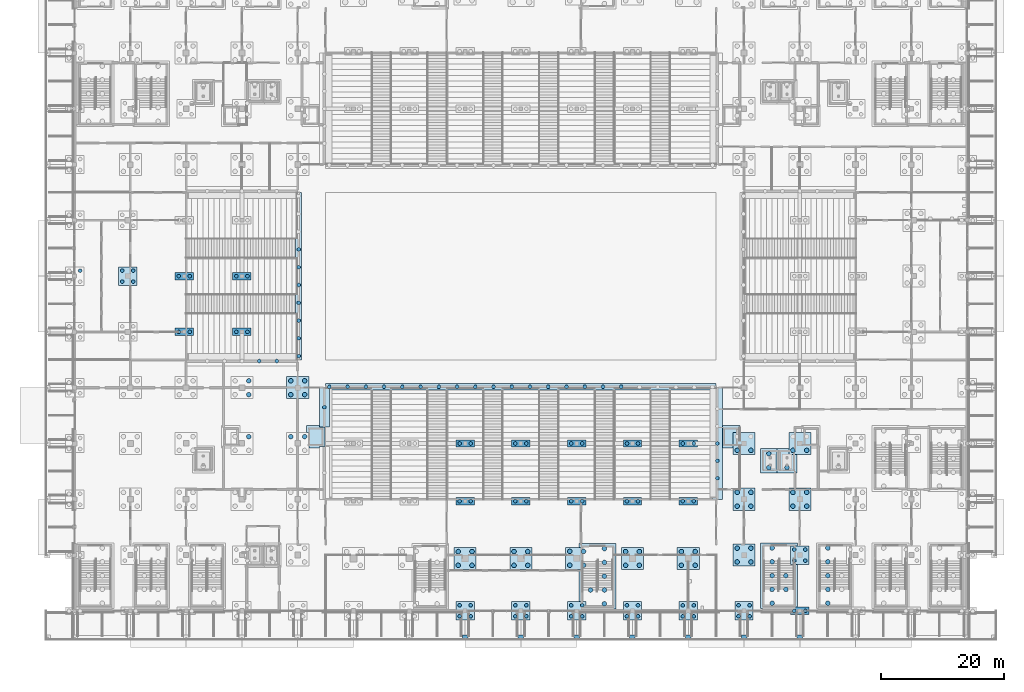
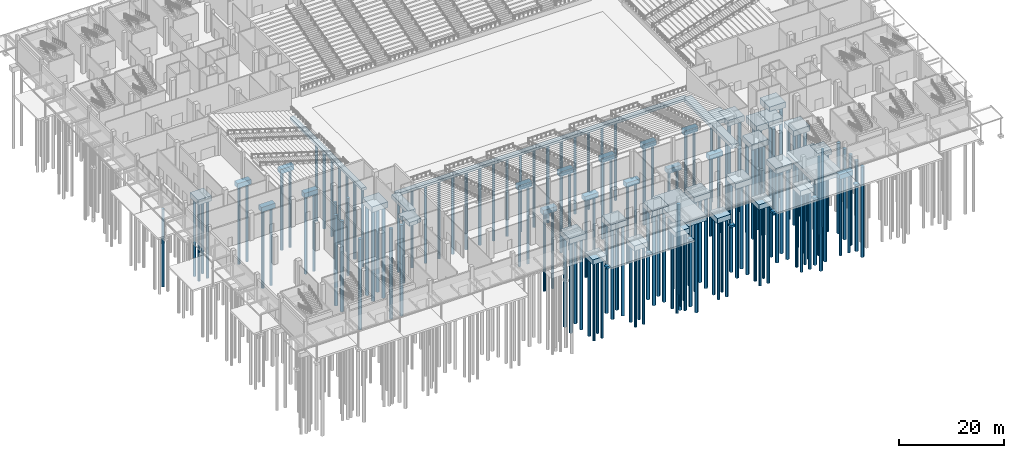
# One storey, part 2 of 129: 159 piles, 51 footings.
"""IFC4 building model written with IfcOpenShell, lengths in metres."""

from ifc_helpers import new_model, si_unit, direction, frame, origin, origin_2d, place, context, subcontext, project, spatial, polyline, rectangle, circle, outline, extrude, material, material_profile, profile_set, type_object, element, save


model = new_model("IFC4")

# Units and contexts
model_context = context("Model", 3, precision=1e-05, world=origin(), true_north=direction((0.0, 1.0)))
body_context = subcontext(model_context, "Body", "Model", "MODEL_VIEW")
ifc_project = project(units=[si_unit("LENGTHUNIT", "METRE"), si_unit("AREAUNIT", "SQUARE_METRE"), si_unit("VOLUMEUNIT", "CUBIC_METRE"), si_unit("PLANEANGLEUNIT", "RADIAN"), si_unit("MASSUNIT", "GRAM", prefix="KILO")], contexts=[model_context])

# Site, building, storey
site_placement = place(None, origin())
site = spatial("IfcSite", under=ifc_project, at=site_placement, CompositionType="ELEMENT")
building_placement = place(site_placement, origin())
building = spatial("IfcBuilding", under=site, at=building_placement, Name="Shirokan Park Arena", CompositionType="ELEMENT")
storey_placement = place(building_placement, origin())
storey = spatial("IfcBuildingStorey", under=building, at=storey_placement, Name="L00", CompositionType="ELEMENT", Elevation=0.0)

# Piles
ifc_material = material(Name="Concrete C30", Category="concrete")
ifc_material_profile_1 = material_profile(ifc_material, circle(Radius=0.300048828125, at=origin_2d()), Name="D600")
ifc_profile_set_1 = profile_set([ifc_material_profile_1], Name="Concrete C30")
pile_type_1 = type_object("IfcPileType", Name="Bored pile 600", PredefinedType="BORED", material=ifc_profile_set_1)
for number, where, z_axis, x_axis, name in (
    (1, (0.89990234375, 55.5, -1.60009765625), (0.0, 0.0, -1.0), (1.0, 0.0, 0.0), "Bored pile 1G 4"),
    (2, (7.77490234375, 53.699951171875, -1.60009765625), (0.0, 0.0, -1.0), (1.0, 0.0, 0.0), "Bored pile 2G 1"),
    (3, (7.77490234375, 55.5, -1.60009765625), (0.0, 0.0, -1.0), (1.0, 0.0, 0.0), "Bored pile 2G 2"),
    (4, (9.574951171875, 53.699951171875, -1.60009765625), (0.0, 0.0, -1.0), (1.0, 0.0, 0.0), "Bored pile 2G 3"),
    (5, (9.574951171875, 55.5, -1.60009765625), (0.0, 0.0, -1.0), (1.0, 0.0, 0.0), "Bored pile 2G 4"),
    (6, (17.0, 45.5, -1.5), (0.0, 0.0, -1.0), (1.0, 0.0, 0.0), "Bored pile 3F 1"),
    (7, (18.800048828125, 45.5, -1.5), (0.0, 0.0, -1.0), (1.0, 0.0, 0.0), "Bored pile 3F 2"),
    (8, (17.0, 54.60009765625, -1.5), (0.0, 0.0, -1.0), (1.0, 0.0, 0.0), "Bored pile 3G 1"),
    (9, (18.800048828125, 54.60009765625, -1.5), (0.0, 0.0, -1.0), (1.0, 0.0, 0.0), "Bored pile 3G 2"),
    (10, (26.39990234375, 45.5, -1.5), (0.0, 0.0, -1.0), (1.0, 0.0, 0.0), "Bored pile 4F 1"),
    (11, (28.199951171875, 45.5, -1.5), (0.0, 0.0, -1.0), (1.0, 0.0, 0.0), "Bored pile 4F 2"),
    (12, (26.39990234375, 54.60009765625, -1.5), (0.0, 0.0, -1.0), (1.0, 0.0, 0.0), "Bored pile 4G 1"),
    (13, (28.199951171875, 54.60009765625, -1.5), (0.0, 0.0, -1.0), (1.0, 0.0, 0.0), "Bored pile 4G 2"),
    (14, (62.800048828125, -0.89990234375, -1.60009765625), (0.0, 0.0, -1.0), (1.0, 0.0, 0.0), "Bored pile 8A 1"),
    (15, (62.800048828125, 0.89990234375, -1.60009765625), (0.0, 0.0, -1.0), (1.0, 0.0, 0.0), "Bored pile 8A 2"),
    (16, (64.60009765625, -0.89990234375, -1.60009765625), (0.0, 0.0, -1.0), (1.0, 0.0, 0.0), "Bored pile 8A 3"),
    (17, (64.60009765625, 0.89990234375, -1.60009765625), (0.0, 0.0, -1.0), (1.0, 0.0, 0.0), "Bored pile 8A 4"),
    (18, (62.800048828125, 17.89990234375, -1.5), (0.0, 0.0, -1.0), (1.0, 0.0, 0.0), "Bored pile 8C 1"),
    (19, (64.60009765625, 17.89990234375, -1.5), (0.0, 0.0, -1.0), (1.0, 0.0, 0.0), "Bored pile 8C 2"),
    (20, (62.800048828125, 27.300048828125, -1.5), (0.0, 0.0, -1.0), (1.0, 0.0, 0.0), "Bored pile 8D 1"),
    (21, (64.60009765625, 27.300048828125, -1.5), (0.0, 0.0, -1.0), (1.0, 0.0, 0.0), "Bored pile 8D 2"),
    (22, (71.89990234375, -0.89990234375, -1.60009765625), (0.0, 0.0, -1.0), (1.0, 0.0, 0.0), "Bored pile 9A 1"),
    (23, (71.89990234375, 0.89990234375, -1.60009765625), (0.0, 0.0, -1.0), (1.0, 0.0, 0.0), "Bored pile 9A 2"),
    (24, (73.699951171875, -0.89990234375, -1.60009765625), (0.0, 0.0, -1.0), (1.0, 0.0, 0.0), "Bored pile 9A 3"),
    (25, (73.699951171875, 0.89990234375, -1.60009765625), (0.0, 0.0, -1.0), (1.0, 0.0, 0.0), "Bored pile 9A 4"),
    (26, (71.89990234375, 17.89990234375, -1.5), (0.0, 0.0, -1.0), (1.0, 0.0, 0.0), "Bored pile 9C 1"),
    (27, (73.699951171875, 17.89990234375, -1.5), (0.0, 0.0, -1.0), (1.0, 0.0, 0.0), "Bored pile 9C 2"),
    (28, (71.89990234375, 27.300048828125, -1.5), (0.0, 0.0, -1.0), (1.0, 0.0, 0.0), "Bored pile 9D 1"),
    (29, (73.699951171875, 27.300048828125, -1.5), (0.0, 0.0, -1.0), (1.0, 0.0, 0.0), "Bored pile 9D 2"),
    (30, (81.0, -0.89990234375, -1.60009765625), (0.0, 0.0, -1.0), (1.0, 0.0, 0.0), "Bored pile 10A 1"),
    (31, (81.0, 0.89990234375, -1.60009765625), (0.0, 0.0, -1.0), (1.0, 0.0, 0.0), "Bored pile 10A 2"),
    (32, (82.800048828125, -0.89990234375, -1.60009765625), (0.0, 0.0, -1.0), (1.0, 0.0, 0.0), "Bored pile 10A 3"),
    (33, (82.800048828125, 0.89990234375, -1.60009765625), (0.0, 0.0, -1.0), (1.0, 0.0, 0.0), "Bored pile 10A 4"),
    (34, (81.0, 17.89990234375, -1.5), (0.0, 0.0, -1.0), (1.0, 0.0, 0.0), "Bored pile 10C 1"),
    (35, (82.800048828125, 17.89990234375, -1.5), (0.0, 0.0, -1.0), (1.0, 0.0, 0.0), "Bored pile 10C 2"),
    (36, (81.0, 27.300048828125, -1.5), (0.0, 0.0, -1.0), (1.0, 0.0, 0.0), "Bored pile 10D 1"),
    (37, (82.800048828125, 27.300048828125, -1.5), (0.0, 0.0, -1.0), (1.0, 0.0, 0.0), "Bored pile 10D 2"),
    (38, (90.10009765625, -0.89990234375, -1.60009765625), (0.0, 0.0, -1.0), (1.0, 0.0, 0.0), "Bored pile 11A 1"),
    (39, (90.10009765625, 0.89990234375, -1.60009765625), (0.0, 0.0, -1.0), (1.0, 0.0, 0.0), "Bored pile 11A 2"),
    (40, (91.89990234375, -0.89990234375, -1.60009765625), (0.0, 0.0, -1.0), (1.0, 0.0, 0.0), "Bored pile 11A 3"),
    (41, (91.89990234375, 0.89990234375, -1.60009765625), (0.0, 0.0, -1.0), (1.0, 0.0, 0.0), "Bored pile 11A 4"),
    (42, (90.10009765625, 17.89990234375, -1.5), (0.0, 0.0, -1.0), (1.0, 0.0, 0.0), "Bored pile 11C 1"),
    (43, (91.89990234375, 17.89990234375, -1.5), (0.0, 0.0, -1.0), (1.0, 0.0, 0.0), "Bored pile 11C 2"),
    (44, (90.10009765625, 27.300048828125, -1.5), (0.0, 0.0, -1.0), (1.0, 0.0, 0.0), "Bored pile 11D 1"),
    (45, (91.89990234375, 27.300048828125, -1.5), (0.0, 0.0, -1.0), (1.0, 0.0, 0.0), "Bored pile 11D 2"),
    (46, (99.199951171875, -0.89990234375, -1.60009765625), (0.0, 0.0, -1.0), (1.0, 0.0, 0.0), "Bored pile 12A 1"),
    (47, (99.199951171875, 0.89990234375, -1.60009765625), (0.0, 0.0, -1.0), (1.0, 0.0, 0.0), "Bored pile 12A 2"),
    (48, (101.0, -0.89990234375, -1.60009765625), (0.0, 0.0, -1.0), (1.0, 0.0, 0.0), "Bored pile 12A 3"),
    (49, (101.0, 0.89990234375, -1.60009765625), (0.0, 0.0, -1.0), (1.0, 0.0, 0.0), "Bored pile 12A 4"),
    (50, (99.199951171875, 17.89990234375, -1.5), (0.0, 0.0, -1.0), (1.0, 0.0, 0.0), "Bored pile 12C 1"),
    (51, (101.0, 17.89990234375, -1.5), (0.0, 0.0, -1.0), (1.0, 0.0, 0.0), "Bored pile 12C 2"),
    (52, (99.199951171875, 27.300048828125, -1.5), (0.0, 0.0, -1.0), (1.0, 0.0, 0.0), "Bored pile 12D 1"),
    (53, (101.0, 27.300048828125, -1.5), (0.0, 0.0, -1.0), (1.0, 0.0, 0.0), "Bored pile 12D 2"),
    (54, (108.300048828125, -0.89990234375, -1.60009765625), (0.0, 0.0, -1.0), (1.0, 0.0, 0.0), "Bored pile 13A 1"),
    (55, (108.300048828125, 0.89990234375, -1.60009765625), (0.0, 0.0, -1.0), (1.0, 0.0, 0.0), "Bored pile 13A 2"),
    (56, (110.10009765625, -0.89990234375, -1.60009765625), (0.0, 0.0, -1.0), (1.0, 0.0, 0.0), "Bored pile 13A 3"),
    (57, (110.10009765625, 0.89990234375, -1.60009765625), (0.0, 0.0, -1.0), (1.0, 0.0, 0.0), "Bored pile 13A 4"),
    (58, (117.39990234375, 0.0, -1.5), (0.0, 0.0, -1.0), (1.0, 0.0, 0.0), "Bored pile 14A 1"),
    (59, (119.199951171875, 0.0, -1.5), (0.0, 0.0, -1.0), (1.0, 0.0, 0.0), "Bored pile 14A 2"),
    (60, (117.39990234375, 8.199951171875, -1.60009765625), (0.0, 0.0, -1.0), (1.0, 0.0, 0.0), "Bored pile 14B 1"),
    (61, (117.39990234375, 10.0, -1.60009765625), (0.0, 0.0, -1.0), (1.0, 0.0, 0.0), "Bored pile 14B 2"),
    (62, (119.199951171875, 8.199951171875, -1.60009765625), (0.0, 0.0, -1.0), (1.0, 0.0, 0.0), "Bored pile 14B 3"),
    (63, (119.199951171875, 10.0, -1.60009765625), (0.0, 0.0, -1.0), (1.0, 0.0, 0.0), "Bored pile 14B 4"),
    (64, (41.550048828125, 36.550048828125, -1.0), (0.0, 0.0, -1.0), (1.0, 0.0, 0.0), "Bored pile front wall S 1"),
    (65, (44.526123046875, 36.550048828125, -1.0), (0.0, 0.0, -1.0), (1.0, 0.0, 0.0), "Bored pile front wall S 2"),
    (66, (47.50244140625, 36.550048828125, -1.0), (0.0, 0.0, -1.0), (1.0, 0.0, 0.0), "Bored pile front wall S 3"),
    (67, (50.478515625, 36.550048828125, -1.0), (0.0, 0.0, -1.0), (1.0, 0.0, 0.0), "Bored pile front wall S 4"),
    (68, (53.454833984375, 36.550048828125, -1.0), (0.0, 0.0, -1.0), (1.0, 0.0, 0.0), "Bored pile front wall S 5"),
    (69, (56.430908203125, 36.550048828125, -1.0), (0.0, 0.0, -1.0), (1.0, 0.0, 0.0), "Bored pile front wall S 6"),
    (70, (59.4072265625, 36.550048828125, -1.0), (0.0, 0.0, -1.0), (1.0, 0.0, 0.0), "Bored pile front wall S 7"),
    (71, (62.38330078125, 36.550048828125, -1.0), (0.0, 0.0, -1.0), (1.0, 0.0, 0.0), "Bored pile front wall S 8"),
    (72, (65.359619140625, 36.550048828125, -1.0), (0.0, 0.0, -1.0), (1.0, 0.0, 0.0), "Bored pile front wall S 9"),
    (73, (68.335693359375, 36.550048828125, -1.0), (0.0, 0.0, -1.0), (1.0, 0.0, 0.0), "Bored pile front wall S 10"),
    (74, (71.31201171875, 36.550048828125, -1.0), (0.0, 0.0, -1.0), (1.0, 0.0, 0.0), "Bored pile front wall S 11"),
    (75, (74.2880859375, 36.550048828125, -1.0), (0.0, 0.0, -1.0), (1.0, 0.0, 0.0), "Bored pile front wall S 12"),
    (76, (77.264404296875, 36.550048828125, -1.0), (0.0, 0.0, -1.0), (1.0, 0.0, 0.0), "Bored pile front wall S 13"),
    (77, (80.240478515625, 36.550048828125, -1.0), (0.0, 0.0, -1.0), (1.0, 0.0, 0.0), "Bored pile front wall S 14"),
    (78, (83.216552734375, 36.550048828125, -1.0), (0.0, 0.0, -1.0), (1.0, 0.0, 0.0), "Bored pile front wall S 15"),
    (79, (86.19287109375, 36.550048828125, -1.0), (0.0, 0.0, -1.0), (1.0, 0.0, 0.0), "Bored pile front wall S 16"),
    (80, (89.1689453125, 36.550048828125, -1.0), (0.0, 0.0, -1.0), (1.0, 0.0, 0.0), "Bored pile front wall S 17"),
    (81, (36.550048828125, 41.550048828125, -1.0), (0.0, 0.0, -1.0), (1.0, 0.0, 0.0), "Bored pile front wall W 1"),
    (82, (36.550048828125, 44.449951171875, -1.0), (0.0, 0.0, -1.0), (1.0, 0.0, 0.0), "Bored pile front wall W 2"),
    (83, (36.550048828125, 47.35009765625, -1.0), (0.0, 0.0, -1.0), (1.0, 0.0, 0.0), "Bored pile front wall W 3"),
    (84, (36.550048828125, 50.25, -1.0), (0.0, 0.0, -1.0), (1.0, 0.0, 0.0), "Bored pile front wall W 4"),
    (85, (36.550048828125, 53.14990234375, -1.0), (0.0, 0.0, -1.0), (1.0, 0.0, 0.0), "Bored pile front wall W 5"),
    (86, (36.550048828125, 56.050048828125, -1.0), (0.0, 0.0, -1.0), (1.0, 0.0, 0.0), "Bored pile front wall W 6"),
    (87, (36.550048828125, 58.949951171875, -1.0), (0.0, 0.0, -1.0), (1.0, 0.0, 0.0), "Bored pile front wall W 7"),
    (88, (40.75, 33.195556640625, -1.300048828125), (0.0, 0.0, -1.0), (1.0, 0.0, 0.0), "Bored pile flank wall S1-2 1"),
    (89, (104.85009765625, 27.300048828125, -1.300048828125), (0.0, 0.0, -1.0), (1.0, 0.0, 0.0), "Bored pile flank wall S2 3"),
    (90, (104.85009765625, 24.466552734375, -1.300048828125), (0.0, 0.0, -1.0), (1.0, 0.0, 0.0), "Bored pile flank wall S2 4"),
    (91, (104.85009765625, 21.63330078125, -1.300048828125), (0.0, 0.0, -1.0), (1.0, 0.0, 0.0), "Bored pile flank wall S2 5"),
    (92, (32.966552734375, 40.75, -1.300048828125), (0.0, 0.0, -1.0), (1.0, 0.0, 0.0), "Bored pile flank wall W1 1"),
    (93, (30.13330078125, 40.75, -1.300048828125), (0.0, 0.0, -1.0), (1.0, 0.0, 0.0), "Bored pile flank wall W1 2"),
):
    element("IfcPile", number, at=place(storey_placement, frame(where, z_axis=z_axis, x_axis=x_axis)), inside=storey, type_object=pile_type_1, Name=name, PredefinedType="BORED", context=body_context, shape_type="SweptSolid", body=[
        extrude(circle(Radius=0.300048828125, at=origin_2d()), origin(), (0.0, 0.0, 1.0), 18.0),
    ])
ifc_material_profile_2 = material_profile(ifc_material, circle(Radius=0.375, at=origin_2d()), Name="D750")
ifc_profile_set_2 = profile_set([ifc_material_profile_2], Name="Concrete C30")
pile_type_2 = type_object("IfcPileType", Name="Bored pile 750", PredefinedType="BORED", material=ifc_profile_set_2)
for number, where, z_axis, x_axis, name in (
    (94, (28.425048828125, 28.425048828125, -1.699951171875), (0.0, 0.0, -1.0), (1.0, 0.0, 0.0), "Bored pile 4D 4"),
    (95, (28.425048828125, 35.27490234375, -1.699951171875), (0.0, 0.0, -1.0), (1.0, 0.0, 0.0), "Bored pile 4E 3"),
    (96, (28.425048828125, 37.52490234375, -1.699951171875), (0.0, 0.0, -1.0), (1.0, 0.0, 0.0), "Bored pile 4E 4"),
    (97, (35.27490234375, 28.425048828125, -1.699951171875), (0.0, 0.0, -1.0), (1.0, 0.0, 0.0), "Bored pile 5D 2"),
    (98, (37.52490234375, 28.425048828125, -1.699951171875), (0.0, 0.0, -1.0), (1.0, 0.0, 0.0), "Bored pile 5D 4"),
    (99, (35.27490234375, 35.27490234375, -1.699951171875), (0.0, 0.0, -1.0), (1.0, 0.0, 0.0), "Bored pile 5E 1"),
    (100, (35.27490234375, 37.52490234375, -1.699951171875), (0.0, 0.0, -1.0), (1.0, 0.0, 0.0), "Bored pile 5E 2"),
    (101, (37.52490234375, 35.27490234375, -1.699951171875), (0.0, 0.0, -1.0), (1.0, 0.0, 0.0), "Bored pile 5E 3"),
    (102, (37.52490234375, 37.52490234375, -1.699951171875), (0.0, 0.0, -1.0), (1.0, 0.0, 0.0), "Bored pile 5E 4"),
    (103, (62.574951171875, 7.425048828125, -1.699951171875), (0.0, 0.0, -1.0), (1.0, 0.0, 0.0), "Bored pile 8B 1"),
    (104, (62.574951171875, 9.675048828125, -1.699951171875), (0.0, 0.0, -1.0), (1.0, 0.0, 0.0), "Bored pile 8B 2"),
    (105, (64.824951171875, 7.425048828125, -1.699951171875), (0.0, 0.0, -1.0), (1.0, 0.0, 0.0), "Bored pile 8B 3"),
    (106, (64.824951171875, 9.675048828125, -1.699951171875), (0.0, 0.0, -1.0), (1.0, 0.0, 0.0), "Bored pile 8B 4"),
    (107, (71.675048828125, 7.425048828125, -1.699951171875), (0.0, 0.0, -1.0), (1.0, 0.0, 0.0), "Bored pile 9B 1"),
    (108, (71.675048828125, 9.675048828125, -1.699951171875), (0.0, 0.0, -1.0), (1.0, 0.0, 0.0), "Bored pile 9B 2"),
    (109, (73.925048828125, 7.425048828125, -1.699951171875), (0.0, 0.0, -1.0), (1.0, 0.0, 0.0), "Bored pile 9B 3"),
    (110, (73.925048828125, 9.675048828125, -1.699951171875), (0.0, 0.0, -1.0), (1.0, 0.0, 0.0), "Bored pile 9B 4"),
    (111, (80.77490234375, 7.449951171875, -1.699951171875), (0.0, 0.0, -1.0), (1.0, 0.0, 0.0), "Bored pile 10B 1"),
    (112, (80.77490234375, 9.699951171875, -1.699951171875), (0.0, 0.0, -1.0), (1.0, 0.0, 0.0), "Bored pile 10B 2"),
    (113, (83.02490234375, 7.449951171875, -1.699951171875), (0.0, 0.0, -1.0), (1.0, 0.0, 0.0), "Bored pile 10B 3"),
    (114, (83.02490234375, 9.699951171875, -1.699951171875), (0.0, 0.0, -1.0), (1.0, 0.0, 0.0), "Bored pile 10B 4"),
    (115, (89.875, 7.425048828125, -1.699951171875), (0.0, 0.0, -1.0), (1.0, 0.0, 0.0), "Bored pile 11B 1"),
    (116, (89.875, 9.675048828125, -1.699951171875), (0.0, 0.0, -1.0), (1.0, 0.0, 0.0), "Bored pile 11B 2"),
    (117, (92.125, 7.425048828125, -1.699951171875), (0.0, 0.0, -1.0), (1.0, 0.0, 0.0), "Bored pile 11B 3"),
    (118, (92.125, 9.675048828125, -1.699951171875), (0.0, 0.0, -1.0), (1.0, 0.0, 0.0), "Bored pile 11B 4"),
    (119, (98.97509765625, 7.425048828125, -1.699951171875), (0.0, 0.0, -1.0), (1.0, 0.0, 0.0), "Bored pile 12B 1"),
    (120, (98.97509765625, 9.675048828125, -1.699951171875), (0.0, 0.0, -1.0), (1.0, 0.0, 0.0), "Bored pile 12B 2"),
    (121, (101.22509765625, 7.425048828125, -1.699951171875), (0.0, 0.0, -1.0), (1.0, 0.0, 0.0), "Bored pile 12B 3"),
    (122, (101.22509765625, 9.675048828125, -1.699951171875), (0.0, 0.0, -1.0), (1.0, 0.0, 0.0), "Bored pile 12B 4"),
    (123, (108.074951171875, 7.97509765625, -1.699951171875), (0.0, 0.0, -1.0), (1.0, 0.0, 0.0), "Bored pile 13B 1"),
    (124, (108.074951171875, 10.22509765625, -1.699951171875), (0.0, 0.0, -1.0), (1.0, 0.0, 0.0), "Bored pile 13B 2"),
    (125, (110.324951171875, 7.97509765625, -1.699951171875), (0.0, 0.0, -1.0), (1.0, 0.0, 0.0), "Bored pile 13B 3"),
    (126, (110.324951171875, 10.22509765625, -1.699951171875), (0.0, 0.0, -1.0), (1.0, 0.0, 0.0), "Bored pile 13B 4"),
    (127, (108.074951171875, 17.074951171875, -1.699951171875), (0.0, 0.0, -1.0), (1.0, 0.0, 0.0), "Bored pile 13C 1"),
    (128, (108.074951171875, 19.324951171875, -1.699951171875), (0.0, 0.0, -1.0), (1.0, 0.0, 0.0), "Bored pile 13C 2"),
    (129, (110.324951171875, 17.074951171875, -1.699951171875), (0.0, 0.0, -1.0), (1.0, 0.0, 0.0), "Bored pile 13C 3"),
    (130, (110.324951171875, 19.324951171875, -1.699951171875), (0.0, 0.0, -1.0), (1.0, 0.0, 0.0), "Bored pile 13C 4"),
    (131, (108.074951171875, 26.175048828125, -1.699951171875), (0.0, 0.0, -1.0), (1.0, 0.0, 0.0), "Bored pile 13D 1"),
    (132, (110.324951171875, 26.175048828125, -1.699951171875), (0.0, 0.0, -1.0), (1.0, 0.0, 0.0), "Bored pile 13D 3"),
    (133, (117.175048828125, 17.074951171875, -1.699951171875), (0.0, 0.0, -1.0), (1.0, 0.0, 0.0), "Bored pile 14C 1"),
    (134, (117.175048828125, 19.324951171875, -1.699951171875), (0.0, 0.0, -1.0), (1.0, 0.0, 0.0), "Bored pile 14C 2"),
    (135, (119.425048828125, 17.074951171875, -1.699951171875), (0.0, 0.0, -1.0), (1.0, 0.0, 0.0), "Bored pile 14C 3"),
    (136, (119.425048828125, 19.324951171875, -1.699951171875), (0.0, 0.0, -1.0), (1.0, 0.0, 0.0), "Bored pile 14C 4"),
    (137, (117.175048828125, 26.175048828125, -1.699951171875), (0.0, 0.0, -1.0), (1.0, 0.0, 0.0), "Bored pile 14D 1"),
    (138, (119.425048828125, 26.175048828125, -1.699951171875), (0.0, 0.0, -1.0), (1.0, 0.0, 0.0), "Bored pile 14D 3"),
    (139, (116.199951171875, 23.375, -2.800048828125), (0.0, 0.0, -1.0), (1.0, 0.0, 0.0), "Bored pile Passenger Lift 2.1 1"),
    (140, (113.25, 23.375, -2.800048828125), (0.0, 0.0, -1.0), (1.0, 0.0, 0.0), "Bored pile Passenger Lift 2.2 1"),
    (141, (113.25, 25.625, -2.800048828125), (0.0, 0.0, -1.0), (1.0, 0.0, 0.0), "Bored pile Passenger Lift 2.2 2"),
    (142, (122.875, 1.25, -1.5), (0.0, 0.0, -1.0), (1.0, 0.0, 0.0), "Bored pile Exit Stair 2.C 1"),
    (143, (122.875, 3.5, -1.5), (0.0, 0.0, -1.0), (1.0, 0.0, 0.0), "Bored pile Exit Stair 2.C 2"),
    (144, (122.875, 5.75, -1.5), (0.0, 0.0, -1.0), (1.0, 0.0, 0.0), "Bored pile Exit Stair 2.C 3"),
    (145, (122.875, 8.0, -1.5), (0.0, 0.0, -1.0), (1.0, 0.0, 0.0), "Bored pile Exit Stair 2.C 4"),
    (146, (122.875, 10.25, -1.5), (0.0, 0.0, -1.0), (1.0, 0.0, 0.0), "Bored pile Exit Stair 2.C 5"),
    (147, (113.77490234375, 1.25, -1.5), (0.0, 0.0, -1.0), (1.0, 0.0, 0.0), "Bored pile Exit Stair 2.D 1"),
    (148, (113.77490234375, 3.5, -1.5), (0.0, 0.0, -1.0), (1.0, 0.0, 0.0), "Bored pile Exit Stair 2.D 2"),
    (149, (113.77490234375, 5.75, -1.5), (0.0, 0.0, -1.0), (1.0, 0.0, 0.0), "Bored pile Exit Stair 2.D 3"),
    (150, (113.77490234375, 8.0, -1.5), (0.0, 0.0, -1.0), (1.0, 0.0, 0.0), "Bored pile Exit Stair 2.D 4"),
    (151, (113.77490234375, 10.25, -1.5), (0.0, 0.0, -1.0), (1.0, 0.0, 0.0), "Bored pile Exit Stair 2.D 5"),
    (152, (116.02490234375, 3.5, -1.5), (0.0, 0.0, -1.0), (1.0, 0.0, 0.0), "Bored pile Exit Stair 2.D 6"),
    (153, (116.02490234375, 5.75, -1.5), (0.0, 0.0, -1.0), (1.0, 0.0, 0.0), "Bored pile Exit Stair 2.D 7"),
    (154, (84.175048828125, 3.39990234375, -1.5), (0.0, 0.0, -1.0), (1.0, 0.0, 0.0), "Bored pile Entrance Stair E1.2 1"),
    (155, (86.425048828125, 1.14990234375, -1.5), (0.0, 0.0, -1.0), (1.0, 0.0, 0.0), "Bored pile Entrance Stair E1.2 2"),
    (156, (86.425048828125, 3.39990234375, -1.5), (0.0, 0.0, -1.0), (1.0, 0.0, 0.0), "Bored pile Entrance Stair E1.2 3"),
    (157, (86.425048828125, 5.64990234375, -1.5), (0.0, 0.0, -1.0), (1.0, 0.0, 0.0), "Bored pile Entrance Stair E1.2 4"),
    (158, (86.425048828125, 7.89990234375, -1.5), (0.0, 0.0, -1.0), (1.0, 0.0, 0.0), "Bored pile Entrance Stair E1.2 5"),
    (159, (86.425048828125, 10.14990234375, -1.5), (0.0, 0.0, -1.0), (1.0, 0.0, 0.0), "Bored pile Entrance Stair E1.2 6"),
):
    element("IfcPile", number, at=place(storey_placement, frame(where, z_axis=z_axis, x_axis=x_axis)), inside=storey, type_object=pile_type_2, Name=name, PredefinedType="BORED", context=body_context, shape_type="SweptSolid", body=[
        extrude(circle(Radius=0.375, at=origin_2d()), origin(), (0.0, 0.0, 1.0), 21.0),
    ])

# Footings
footing_type_1 = type_object("IfcFootingType", Name="Pad footing 900x900x500", PredefinedType="PAD_FOOTING", material=ifc_material)
for number, where, z_axis, x_axis, name in (
    (160, (63.699951171875, -4.425048828125, -0.89990234375), (0.0, 0.0, 1.0), (1.0, 0.0, 0.0), "Pad footing south grid 8"),
    (161, (72.800048828125, -4.425048828125, -0.89990234375), (0.0, 0.0, 1.0), (1.0, 0.0, 0.0), "Pad footing south grid 9"),
    (162, (81.89990234375, -4.425048828125, -0.89990234375), (0.0, 0.0, 1.0), (1.0, 0.0, 0.0), "Pad footing south grid 10"),
    (163, (91.0, -4.425048828125, -0.89990234375), (0.0, 0.0, 1.0), (1.0, 0.0, 0.0), "Pad footing south grid 11"),
    (164, (100.10009765625, -4.425048828125, -0.89990234375), (0.0, 0.0, 1.0), (1.0, 0.0, 0.0), "Pad footing south grid 12"),
    (165, (109.199951171875, -4.425048828125, -0.89990234375), (0.0, 0.0, 1.0), (1.0, 0.0, 0.0), "Pad footing south grid 13"),
    (166, (118.300048828125, -4.425048828125, -0.89990234375), (0.0, 0.0, 1.0), (1.0, 0.0, 0.0), "Pad footing south grid 14"),
):
    element("IfcFooting", number, at=place(storey_placement, frame(where, z_axis=z_axis, x_axis=x_axis)), inside=storey, type_object=footing_type_1, Name=name, PredefinedType="PAD_FOOTING", context=body_context, shape_type="SweptSolid", body=[
        extrude(rectangle(XDim=0.89990234375, YDim=0.89990234375, at=origin_2d()), origin(), (0.0, 0.0, 1.0), 0.5),
    ])
footing_type_2 = type_object("IfcFootingType", Name="Pile cap 2-pile 3000x1200x1100", PredefinedType="PILE_CAP", material=ifc_material)
for number, where, z_axis, x_axis, name in (
    (167, (17.89990234375, 45.5, -1.5), (0.0, 0.0, 1.0), (1.0, 0.0, 0.0), "Pile cap 3F"),
    (168, (17.89990234375, 54.60009765625, -1.5), (0.0, 0.0, 1.0), (1.0, 0.0, 0.0), "Pile cap 3G"),
    (169, (27.300048828125, 45.5, -1.5), (0.0, 0.0, 1.0), (1.0, 0.0, 0.0), "Pile cap 4F"),
    (170, (27.300048828125, 54.60009765625, -1.5), (0.0, 0.0, 1.0), (1.0, 0.0, 0.0), "Pile cap 4G"),
    (171, (63.699951171875, 17.89990234375, -1.5), (0.0, 0.0, 1.0), (1.0, 0.0, 0.0), "Pile cap 8C"),
    (172, (63.699951171875, 27.300048828125, -1.5), (0.0, 0.0, 1.0), (1.0, 0.0, 0.0), "Pile cap 8D"),
    (173, (72.800048828125, 17.89990234375, -1.5), (0.0, 0.0, 1.0), (1.0, 0.0, 0.0), "Pile cap 9C"),
    (174, (72.800048828125, 27.300048828125, -1.5), (0.0, 0.0, 1.0), (1.0, 0.0, 0.0), "Pile cap 9D"),
    (175, (81.89990234375, 17.89990234375, -1.5), (0.0, 0.0, 1.0), (1.0, 0.0, 0.0), "Pile cap 10C"),
    (176, (81.89990234375, 27.300048828125, -1.5), (0.0, 0.0, 1.0), (1.0, 0.0, 0.0), "Pile cap 10D"),
    (177, (91.0, 17.89990234375, -1.5), (0.0, 0.0, 1.0), (1.0, 0.0, 0.0), "Pile cap 11C"),
    (178, (91.0, 27.300048828125, -1.5), (0.0, 0.0, 1.0), (1.0, 0.0, 0.0), "Pile cap 11D"),
    (179, (100.10009765625, 17.89990234375, -1.5), (0.0, 0.0, 1.0), (1.0, 0.0, 0.0), "Pile cap 12C"),
    (180, (100.10009765625, 27.300048828125, -1.5), (0.0, 0.0, 1.0), (1.0, 0.0, 0.0), "Pile cap 12D"),
    (181, (118.300048828125, 0.0, -1.5), (0.0, 0.0, 1.0), (1.0, 0.0, 0.0), "Pile cap 14A"),
):
    element("IfcFooting", number, at=place(storey_placement, frame(where, z_axis=z_axis, x_axis=x_axis)), inside=storey, type_object=footing_type_2, Name=name, PredefinedType="PILE_CAP", context=body_context, shape_type="SweptSolid", body=[
        extrude(rectangle(XDim=3.0, YDim=1.199951171875, at=origin_2d()), origin(), (0.0, 0.0, 1.0), 1.10009765625),
    ])
footing_type_3 = type_object("IfcFootingType", Name="Pile cap 4-pile 3000x3000x1200", PredefinedType="PILE_CAP", material=ifc_material)
for number, where, z_axis, x_axis, name in (
    (182, (8.675048828125, 54.60009765625, -1.60009765625), (0.0, 0.0, 1.0), (1.0, 0.0, 0.0), "Pile cap 2G"),
    (183, (63.699951171875, 0.0, -1.60009765625), (0.0, 0.0, 1.0), (1.0, 0.0, 0.0), "Pile cap 8A"),
    (184, (72.800048828125, 0.0, -1.60009765625), (0.0, 0.0, 1.0), (1.0, 0.0, 0.0), "Pile cap 9A"),
    (185, (81.89990234375, 0.0, -1.60009765625), (0.0, 0.0, 1.0), (1.0, 0.0, 0.0), "Pile cap 10A"),
    (186, (91.0, 0.0, -1.60009765625), (0.0, 0.0, 1.0), (1.0, 0.0, 0.0), "Pile cap 11A"),
    (187, (100.10009765625, 0.0, -1.60009765625), (0.0, 0.0, 1.0), (1.0, 0.0, 0.0), "Pile cap 12A"),
    (188, (109.199951171875, 0.0, -1.60009765625), (0.0, 0.0, 1.0), (1.0, 0.0, 0.0), "Pile cap 13A"),
    (189, (118.300048828125, 9.10009765625, -1.60009765625), (0.0, 0.0, 1.0), (1.0, 0.0, 0.0), "Pile cap 14B"),
):
    element("IfcFooting", number, at=place(storey_placement, frame(where, z_axis=z_axis, x_axis=x_axis)), inside=storey, type_object=footing_type_3, Name=name, PredefinedType="PILE_CAP", context=body_context, shape_type="SweptSolid", body=[
        extrude(rectangle(XDim=3.0, YDim=3.0, at=origin_2d()), origin(), (0.0, 0.0, 1.0), 1.199951171875),
    ])
footing_type_4 = type_object("IfcFootingType", Name="Pile cap 4-pile 3600x3600x1300", PredefinedType="PILE_CAP", material=ifc_material)
for number, where, z_axis, x_axis, name in (
    (190, (36.39990234375, 36.39990234375, -1.7001953125), (0.0, 0.0, 1.0), (1.0, 0.0, 0.0), "Pile cap 5E"),
    (191, (63.699951171875, 8.550048828125, -1.7001953125), (0.0, 0.0, 1.0), (1.0, 0.0, 0.0), "Pile cap 8B"),
    (192, (72.800048828125, 8.550048828125, -1.7001953125), (0.0, 0.0, 1.0), (1.0, 0.0, 0.0), "Pile cap 9B"),
    (193, (81.89990234375, 8.574951171875, -1.7001953125), (0.0, 0.0, 1.0), (1.0, 0.0, 0.0), "Pile cap 10B"),
    (194, (91.0, 8.550048828125, -1.7001953125), (0.0, 0.0, 1.0), (1.0, 0.0, 0.0), "Pile cap 11B"),
    (195, (100.10009765625, 8.550048828125, -1.7001953125), (0.0, 0.0, 1.0), (1.0, 0.0, 0.0), "Pile cap 12B"),
    (196, (109.199951171875, 9.10009765625, -1.7001953125), (0.0, 0.0, 1.0), (1.0, 0.0, 0.0), "Pile cap 13B"),
    (197, (109.199951171875, 18.199951171875, -1.7001953125), (0.0, 0.0, 1.0), (1.0, 0.0, 0.0), "Pile cap 13C"),
    (198, (109.199951171875, 27.300048828125, -1.7001953125), (0.0, 0.0, 1.0), (1.0, 0.0, 0.0), "Pile cap 13D"),
    (199, (118.300048828125, 18.199951171875, -1.7001953125), (0.0, 0.0, 1.0), (1.0, 0.0, 0.0), "Pile cap 14C"),
    (200, (118.300048828125, 27.300048828125, -1.7001953125), (0.0, 0.0, 1.0), (1.0, 0.0, 0.0), "Pile cap 14D"),
):
    element("IfcFooting", number, at=place(storey_placement, frame(where, z_axis=z_axis, x_axis=x_axis)), inside=storey, type_object=footing_type_4, Name=name, PredefinedType="PILE_CAP", context=body_context, shape_type="SweptSolid", body=[
        extrude(rectangle(XDim=3.60009765625, YDim=3.60009765625, at=origin_2d()), origin(), (0.0, 0.0, 1.0), 1.300048828125),
    ])
footing_type_5 = type_object("IfcFootingType", Name="Shaft raft 1100", PredefinedType="PILE_CAP", material=ifc_material)
footing_1_placement = place(storey_placement, frame((0.0, 0.0, -1.5)))
element("IfcFooting", 201, at=footing_1_placement, inside=storey, type_object=footing_type_5, Name="Shaft raft Exit Stair 2.D", PredefinedType="PILE_CAP", context=body_context, shape_type="SweptSolid", body=[
    extrude(outline(polyline([(117.89990234375, 7.60009765625), (117.89990234375, 0.60009765625), (116.800048828125, 0.60009765625), (116.800048828125, 0.39990234375), (111.89990234375, 0.39990234375), (111.89990234375, 11.10009765625), (117.89990234375, 11.10009765625), (117.89990234375, 10.60009765625), (116.800048828125, 10.60009765625), (116.800048828125, 7.60009765625), (117.89990234375, 7.60009765625)])), origin(), (0.0, 0.0, 1.0), 1.10009765625),
])
footing_2_placement = place(storey_placement, frame((0.0, 0.0, -1.5)))
element("IfcFooting", 202, at=footing_2_placement, inside=storey, type_object=footing_type_5, Name="Shaft raft Entrance Stair E1.2", PredefinedType="PILE_CAP", context=body_context, shape_type="SweptSolid", body=[
    extrude(outline(polyline([(82.300048828125, 10.375), (82.300048828125, 11.0), (88.300048828125, 11.0), (88.300048828125, 0.300048828125), (83.39990234375, 0.300048828125), (83.39990234375, 1.5), (82.300048828125, 1.5), (82.300048828125, 6.77490234375), (83.699951171875, 6.77490234375), (83.699951171875, 10.375), (82.300048828125, 10.375)])), origin(), (0.0, 0.0, 1.0), 1.10009765625),
])
footing_type_6 = type_object("IfcFootingType", Name="Shaft raft 1400", PredefinedType="PILE_CAP", material=ifc_material)
footing_3_placement = place(storey_placement, frame((0.0, 0.0, -2.800048828125)))
element("IfcFooting", 203, at=footing_3_placement, inside=storey, type_object=footing_type_6, Name="Shaft raft Passenger Lift 2.1", PredefinedType="PILE_CAP", context=body_context, shape_type="SweptSolid", body=[
    extrude(outline(polyline([(117.800048828125, 25.5), (117.800048828125, 22.5), (114.60009765625, 22.5), (114.60009765625, 26.5), (116.5, 26.5), (116.5, 25.5), (117.800048828125, 25.5)])), origin(), (0.0, 0.0, 1.0), 1.400146484375),
])
footing_4_placement = place(storey_placement, frame((0.0, 0.0, -2.800048828125)))
element("IfcFooting", 204, at=footing_4_placement, inside=storey, type_object=footing_type_6, Name="Shaft raft Passenger Lift 2.2", PredefinedType="PILE_CAP", context=body_context, shape_type="SweptSolid", body=[
    extrude(outline(polyline([(111.89990234375, 22.5), (111.89990234375, 26.5), (114.60009765625, 26.5), (114.60009765625, 22.5), (111.89990234375, 22.5)])), origin(), (0.0, 0.0, 1.0), 1.400146484375),
])
footing_type_7 = type_object("IfcFootingType", Name="Shaft raft 900", PredefinedType="PILE_CAP", material=ifc_material)
footing_5_placement = place(storey_placement, frame((0.0, 0.0, -1.300048828125)))
element("IfcFooting", 205, at=footing_5_placement, inside=storey, type_object=footing_type_7, Name="Shaft raft Services Riser 1.1", PredefinedType="PILE_CAP", context=body_context, shape_type="SweptSolid", body=[
    extrude(outline(polyline([(39.949951171875, 30.199951171875), (39.949951171875, 29.990966796875), (40.85009765625, 29.990966796875), (40.85009765625, 26.808837890625), (39.949951171875, 26.808837890625), (39.949951171875, 26.60009765625), (38.199951171875, 26.60009765625), (38.199951171875, 29.10009765625), (37.85009765625, 29.10009765625), (37.85009765625, 30.199951171875), (39.949951171875, 30.199951171875)])), origin(), (0.0, 0.0, 1.0), 0.900146484375),
])
footing_6_placement = place(storey_placement, frame((0.0, 0.0, -1.300048828125)))
element("IfcFooting", 206, at=footing_6_placement, inside=storey, type_object=footing_type_7, Name="Shaft raft Services Riser 2.1", PredefinedType="PILE_CAP", context=body_context, shape_type="SweptSolid", body=[
    extrude(outline(polyline([(105.64990234375, 26.60009765625), (105.64990234375, 30.199951171875), (108.5, 30.199951171875), (108.5, 29.10009765625), (107.39990234375, 29.10009765625), (107.39990234375, 26.60009765625), (105.64990234375, 26.60009765625)])), origin(), (0.0, 0.0, 1.0), 0.900146484375),
])
footing_type_8 = type_object("IfcFootingType", Name="Strip footing 1000x600", PredefinedType="STRIP_FOOTING", material=ifc_material)
footing_7_placement = place(storey_placement, frame((72.800048828125, 36.550048828125, -1.0), z_axis=(0.0, 0.0, 1.0), x_axis=(1.0, 0.0, 0.0)))
element("IfcFooting", 207, at=footing_7_placement, inside=storey, type_object=footing_type_8, Name="Strip footing front wall S", PredefinedType="STRIP_FOOTING", context=body_context, shape_type="SweptSolid", body=[
    extrude(rectangle(XDim=63.699951171875, YDim=1.0, at=origin_2d()), origin(), (0.0, 0.0, 1.0), 0.60009765625),
])
footing_8_placement = place(storey_placement, frame((36.550048828125, 54.60009765625, -1.0), z_axis=(0.0, 0.0, 1.0), x_axis=(1.0, 0.0, 0.0)))
element("IfcFooting", 208, at=footing_8_placement, inside=storey, type_object=footing_type_8, Name="Strip footing front wall W", PredefinedType="STRIP_FOOTING", context=body_context, shape_type="SweptSolid", body=[
    extrude(rectangle(XDim=1.0, YDim=27.300048828125, at=origin_2d()), origin(), (0.0, 0.0, 1.0), 0.60009765625),
])
footing_type_9 = type_object("IfcFootingType", Name="Strip footing 1600x900", PredefinedType="STRIP_FOOTING", material=ifc_material)
footing_9_placement = place(storey_placement, frame((0.0, 0.0, -1.300048828125)))
element("IfcFooting", 209, at=footing_9_placement, inside=storey, type_object=footing_type_9, Name="Strip footing flank wall S1-2", PredefinedType="STRIP_FOOTING", context=body_context, shape_type="SweptSolid", body=[
    extrude(outline(polyline([(41.550048828125, 36.39990234375), (41.550048828125, 29.990966796875), (39.949951171875, 29.990966796875), (39.949951171875, 36.39990234375), (41.550048828125, 36.39990234375)])), origin(), (0.0, 0.0, 1.0), 0.900146484375),
])
footing_10_placement = place(storey_placement, frame((0.0, 0.0, -1.300048828125)))
element("IfcFooting", 210, at=footing_10_placement, inside=storey, type_object=footing_type_9, Name="Strip footing flank wall S2", PredefinedType="STRIP_FOOTING", context=body_context, shape_type="SweptSolid", body=[
    extrude(outline(polyline([(105.64990234375, 18.199951171875), (104.050048828125, 18.199951171875), (104.050048828125, 36.39990234375), (105.64990234375, 36.39990234375), (105.64990234375, 18.199951171875)])), origin(), (0.0, 0.0, 1.0), 0.900146484375),
])

save(model, "model.ifc")
